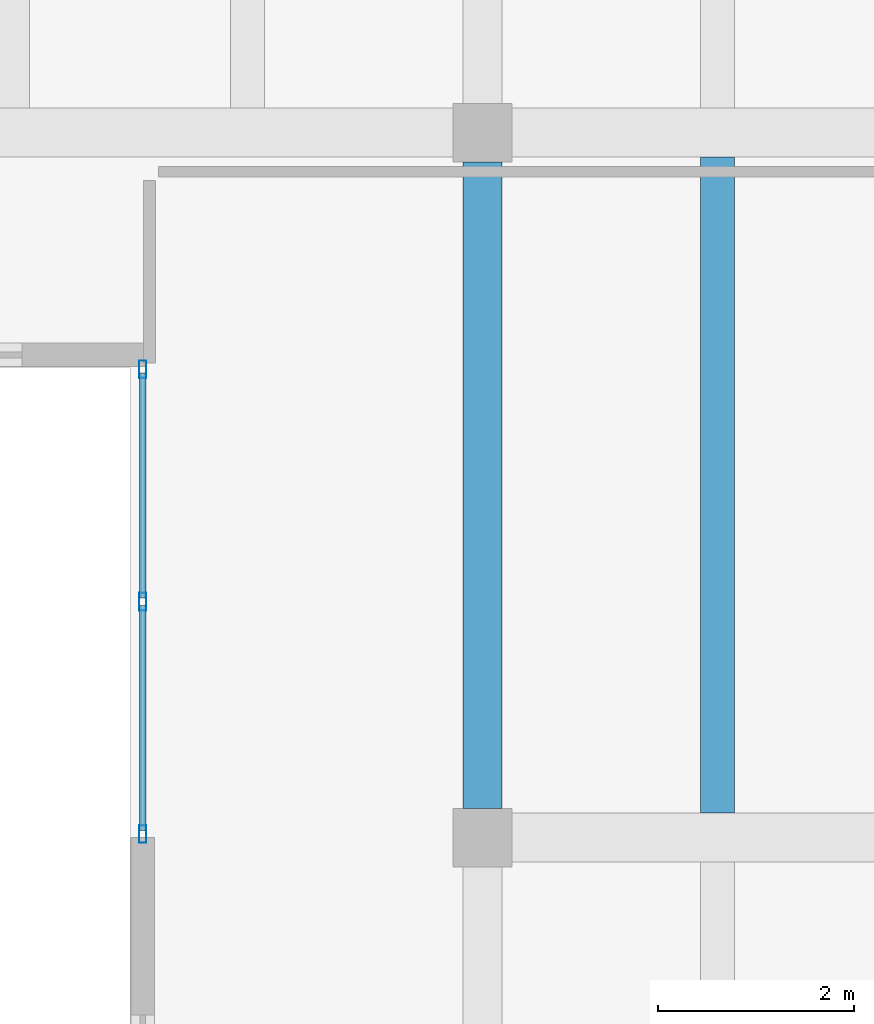
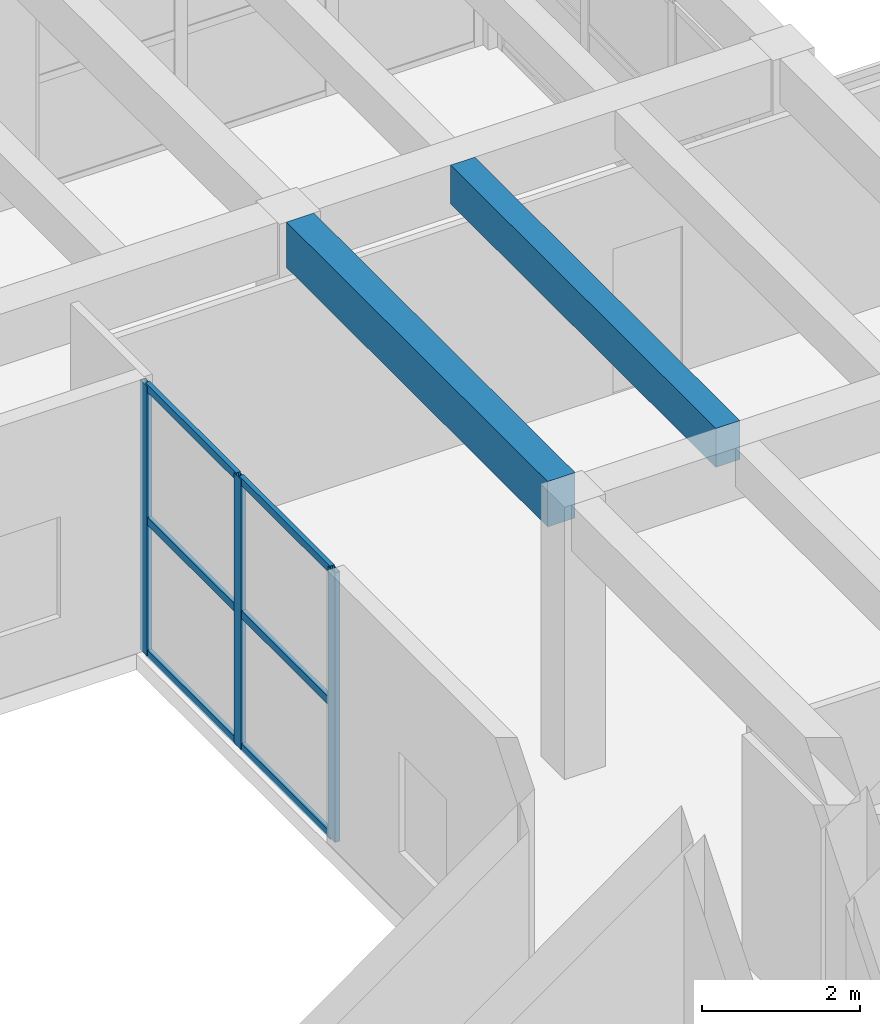
# One storey, part 82 of 153: 9 members, 2 beams, 1 element without a shape of its own.
"""IFC4 building model written with IfcOpenShell, lengths in metres."""

from ifc_helpers import new_model, si_unit, direction, frame, origin, origin_2d, place, context, subcontext, project, spatial, rectangle, hollow_rectangle, extrude, material, material_profile, profile_set, type_object, element, aggregate, save


model = new_model("IFC4")

# Units and contexts
model_context = context("Model", 3, precision=1e-05, world=origin(), true_north=direction((0.0, 1.0)))
body_context = subcontext(model_context, "Body", "Model", "MODEL_VIEW")
ifc_project = project(units=[si_unit("LENGTHUNIT", "METRE"), si_unit("AREAUNIT", "SQUARE_METRE"), si_unit("VOLUMEUNIT", "CUBIC_METRE"), si_unit("PLANEANGLEUNIT", "RADIAN"), si_unit("MASSUNIT", "GRAM", prefix="KILO")], contexts=[model_context])

# Site, building, storey
site_placement = place(None, origin())
site = spatial("IfcSite", under=ifc_project, at=site_placement, CompositionType="ELEMENT")
building_placement = place(site_placement, origin())
building = spatial("IfcBuilding", under=site, at=building_placement, Name="Bramvelor Terrace Health Centre", CompositionType="ELEMENT")
storey_placement = place(building_placement, frame((0.0, 0.0, 4.800048828125)))
storey = spatial("IfcBuildingStorey", under=building, at=storey_placement, Name="L02", CompositionType="ELEMENT", Elevation=4.800048828125)

# Beams
ifc_material_1 = material(Name="Concrete C40/50", Category="concrete")
ifc_material_profile_1 = material_profile(ifc_material_1, rectangle(XDim=0.39990234375, YDim=0.699951171875, at=origin_2d()), Name="RC 400x700")
ifc_profile_set_1 = profile_set([ifc_material_profile_1], Name="Concrete C40/50")
beam_type_1 = type_object("IfcBeamType", Name="BM-RC-G700", PredefinedType="BEAM", material=ifc_profile_set_1)
beam_1_placement = place(storey_placement, frame((28.800048828125, 101.10009765625, 3.849853515625), z_axis=(0.0, 1.0, 0.0), x_axis=(-1.0, 0.0, 0.0)))
element("IfcBeam", 1, at=beam_1_placement, inside=storey, type_object=beam_type_1, Name="L02 Floor Girder", PredefinedType="BEAM", context=body_context, shape_type="SweptSolid", body=[
    extrude(rectangle(XDim=0.39990234375, YDim=0.699951171875, at=origin_2d()), origin(), (0.0, 0.0, 1.0), 6.599853515625),
])
ifc_material_2 = material(Name="Concrete C40/50", Category="concrete")
ifc_material_profile_2 = material_profile(ifc_material_2, rectangle(XDim=0.35009765625, YDim=0.60009765625, at=origin_2d()), Name="RC 350x600")
ifc_profile_set_2 = profile_set([ifc_material_profile_2], Name="Concrete C40/50")
beam_type_2 = type_object("IfcBeamType", Name="BM-RC-J600", PredefinedType="JOIST", material=ifc_profile_set_2)
beam_2_placement = place(storey_placement, frame((31.199951171875, 101.050048828125, 3.89990234375), z_axis=(0.0, 1.0, 0.0), x_axis=(-1.0, 0.0, 0.0)))
element("IfcBeam", 2, at=beam_2_placement, inside=storey, type_object=beam_type_2, Name="L02 Secondary Floor Joist", PredefinedType="JOIST", context=body_context, shape_type="SweptSolid", body=[
    extrude(rectangle(XDim=0.35009765625, YDim=0.60009765625, at=origin_2d()), origin(), (0.0, 0.0, 1.0), 6.699951171875),
])

# Curtain wall, members
ifc_material_3 = material(Name="Anodized aluminium and double low-E glass", Category="aluminium")
curtain_wall_type = type_object("IfcCurtainWallType", Name="CW-SYS-22", PredefinedType="NOTDEFINED", material=ifc_material_3)
curtain_wall_placement = place(storey_placement, origin())
curtain_wall = element("IfcCurtainWall", 3, at=curtain_wall_placement, inside=storey, type_object=curtain_wall_type, Name="L02 Unitized Curtain Wall 144", PredefinedType="NOTDEFINED")
ifc_material_4 = material(Name="Anodized aluminium 6063-T6", Category="aluminium")
ifc_material_profile_3 = material_profile(ifc_material_4, hollow_rectangle(XDim=0.074951171875, YDim=0.179931640625, WallThickness=0.00341796875, at=origin_2d()), Name="ALU-MUL 75x180x3.5")
ifc_profile_set_3 = profile_set([ifc_material_profile_3], Name="Anodized aluminium 6063-T6")
member_type_1 = type_object("IfcMemberType", Name="CW-MUL-65x180", PredefinedType="MULLION", material=ifc_profile_set_3)
member_1_placement = place(storey_placement, frame((25.330078125, 100.83740234375, 0.0), z_axis=(0.0, 0.0, 1.0), x_axis=(-1.0, 0.0, 0.0)))
member_1 = element("IfcMember", 4, at=member_1_placement, type_object=member_type_1, Name="CW-22 mullion 1", PredefinedType="MULLION", context=body_context, shape_type="SweptSolid", body=[
    extrude(hollow_rectangle(XDim=0.074951171875, YDim=0.179931640625, WallThickness=0.00341796875, at=origin_2d()), origin(), (0.0, 0.0, 1.0), 4.159912109375),
])
member_2_placement = place(storey_placement, frame((25.330078125, 103.2099609375, 0.0), z_axis=(0.0, 0.0, 1.0), x_axis=(-1.0, 0.0, 0.0)))
member_2 = element("IfcMember", 5, at=member_2_placement, type_object=member_type_1, Name="CW-22 mullion 2", PredefinedType="MULLION", context=body_context, shape_type="SweptSolid", body=[
    extrude(hollow_rectangle(XDim=0.074951171875, YDim=0.179931640625, WallThickness=0.00341796875, at=origin_2d()), origin(), (0.0, 0.0, 1.0), 4.159912109375),
])
member_3_placement = place(storey_placement, frame((25.330078125, 105.58251953125, 0.0), z_axis=(0.0, 0.0, 1.0), x_axis=(-1.0, 0.0, 0.0)))
member_3 = element("IfcMember", 6, at=member_3_placement, type_object=member_type_1, Name="CW-22 mullion 3", PredefinedType="MULLION", context=body_context, shape_type="SweptSolid", body=[
    extrude(hollow_rectangle(XDim=0.074951171875, YDim=0.179931640625, WallThickness=0.00341796875, at=origin_2d()), origin(), (0.0, 0.0, 1.0), 4.159912109375),
])
ifc_material_5 = material(Name="Anodized aluminium 6063-T6", Category="aluminium")
ifc_material_profile_4 = material_profile(ifc_material_5, hollow_rectangle(XDim=0.06494140625, YDim=0.1201171875, WallThickness=0.0029296875, at=origin_2d()), Name="ALU-TRN 65x120x3.0")
ifc_profile_set_4 = profile_set([ifc_material_profile_4], Name="Anodized aluminium 6063-T6")
member_type_2 = type_object("IfcMemberType", Name="CW-TRN-65x150", PredefinedType="USERDEFINED", material=ifc_profile_set_4)
member_4_placement = place(storey_placement, frame((25.330078125, 100.875, 0.032470703125), z_axis=(0.0, 1.0, 0.0), x_axis=(-1.0, 0.0, 0.0)))
member_4 = element("IfcMember", 7, at=member_4_placement, type_object=member_type_2, Name="CW-22 transom 1.1", ObjectType="TRANSOM", PredefinedType="USERDEFINED", context=body_context, shape_type="SweptSolid", body=[
    extrude(hollow_rectangle(XDim=0.06494140625, YDim=0.1201171875, WallThickness=0.0029296875, at=origin_2d()), origin(), (0.0, 0.0, 1.0), 2.297607421875),
])
member_5_placement = place(storey_placement, frame((25.330078125, 100.875, 2.079833984375), z_axis=(0.0, 1.0, 0.0), x_axis=(-1.0, 0.0, 0.0)))
member_5 = element("IfcMember", 8, at=member_5_placement, type_object=member_type_2, Name="CW-22 transom 1.2", ObjectType="TRANSOM", PredefinedType="USERDEFINED", context=body_context, shape_type="SweptSolid", body=[
    extrude(hollow_rectangle(XDim=0.06494140625, YDim=0.1201171875, WallThickness=0.0029296875, at=origin_2d()), origin(), (0.0, 0.0, 1.0), 2.297607421875),
])
member_6_placement = place(storey_placement, frame((25.330078125, 100.875, 4.12744140625), z_axis=(0.0, 1.0, 0.0), x_axis=(-1.0, 0.0, 0.0)))
member_6 = element("IfcMember", 9, at=member_6_placement, type_object=member_type_2, Name="CW-22 transom 1.3", ObjectType="TRANSOM", PredefinedType="USERDEFINED", context=body_context, shape_type="SweptSolid", body=[
    extrude(hollow_rectangle(XDim=0.06494140625, YDim=0.1201171875, WallThickness=0.0029296875, at=origin_2d()), origin(), (0.0, 0.0, 1.0), 2.297607421875),
])
member_7_placement = place(storey_placement, frame((25.330078125, 103.24755859375, 0.032470703125), z_axis=(0.0, 1.0, 0.0), x_axis=(-1.0, 0.0, 0.0)))
member_7 = element("IfcMember", 10, at=member_7_placement, type_object=member_type_2, Name="CW-22 transom 2.1", ObjectType="TRANSOM", PredefinedType="USERDEFINED", context=body_context, shape_type="SweptSolid", body=[
    extrude(hollow_rectangle(XDim=0.06494140625, YDim=0.1201171875, WallThickness=0.0029296875, at=origin_2d()), origin(), (0.0, 0.0, 1.0), 2.29736328125),
])
member_8_placement = place(storey_placement, frame((25.330078125, 103.24755859375, 2.079833984375), z_axis=(0.0, 1.0, 0.0), x_axis=(-1.0, 0.0, 0.0)))
member_8 = element("IfcMember", 11, at=member_8_placement, type_object=member_type_2, Name="CW-22 transom 2.2", ObjectType="TRANSOM", PredefinedType="USERDEFINED", context=body_context, shape_type="SweptSolid", body=[
    extrude(hollow_rectangle(XDim=0.06494140625, YDim=0.1201171875, WallThickness=0.0029296875, at=origin_2d()), origin(), (0.0, 0.0, 1.0), 2.29736328125),
])
member_9_placement = place(storey_placement, frame((25.330078125, 103.24755859375, 4.12744140625), z_axis=(0.0, 1.0, 0.0), x_axis=(-1.0, 0.0, 0.0)))
member_9 = element("IfcMember", 12, at=member_9_placement, type_object=member_type_2, Name="CW-22 transom 2.3", ObjectType="TRANSOM", PredefinedType="USERDEFINED", context=body_context, shape_type="SweptSolid", body=[
    extrude(hollow_rectangle(XDim=0.06494140625, YDim=0.1201171875, WallThickness=0.0029296875, at=origin_2d()), origin(), (0.0, 0.0, 1.0), 2.29736328125),
])
aggregate(curtain_wall, [member_1, member_2, member_3, member_4, member_5, member_6, member_7, member_8, member_9])

save(model, "model.ifc")
